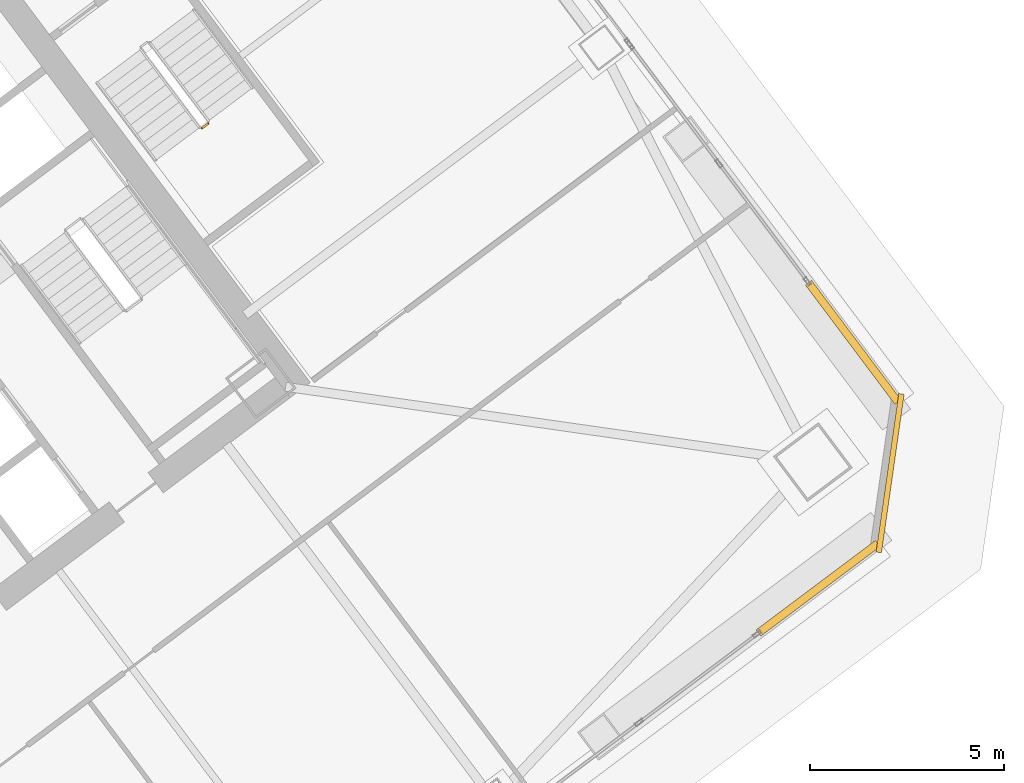
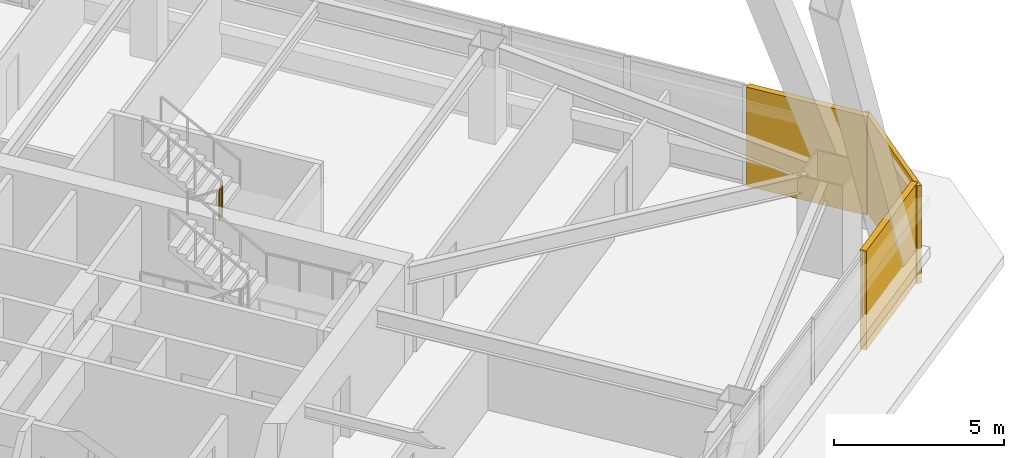
# One storey, part 65 of 67: 3 coverings, 1 railing.
"""IFC4 building model written with IfcOpenShell, lengths in metres."""

from ifc_helpers import new_model, si_unit, direction, frame, origin, origin_2d, place, context, subcontext, project, spatial, rectangle, extrude, material, layer, layer_set, type_object, element, save


model = new_model("IFC4")

# Units and contexts
model_context = context("Model", 3, precision=1e-05, world=origin(), true_north=direction((0.0, 1.0)))
body_context = subcontext(model_context, "Body", "Model", "MODEL_VIEW")
ifc_project = project(units=[si_unit("LENGTHUNIT", "METRE"), si_unit("AREAUNIT", "SQUARE_METRE"), si_unit("VOLUMEUNIT", "CUBIC_METRE"), si_unit("PLANEANGLEUNIT", "RADIAN"), si_unit("MASSUNIT", "GRAM", prefix="KILO")], contexts=[model_context])

# Site, building, storey
site_placement = place(None, origin())
site = spatial("IfcSite", under=ifc_project, at=site_placement, CompositionType="ELEMENT")
building_placement = place(site_placement, origin())
building = spatial("IfcBuilding", under=site, at=building_placement, Name="Tashvorn Skyway Center", CompositionType="ELEMENT")
storey_placement = place(building_placement, frame((0.0, 0.0, 67.199951171875)))
storey = spatial("IfcBuildingStorey", under=building, at=storey_placement, Name="L17", CompositionType="ELEMENT", Elevation=67.199951171875)

# Coverings
ifc_material_1 = material(Name="Precast concrete C40/50", Category="concrete")
ifc_layer_1 = layer(ifc_material_1, 0.199951171875)
ifc_layer_set_1 = layer_set([ifc_layer_1], Name="Precast concrete C40/50")
covering_type_1 = type_object("IfcCoveringType", Name="COV-BRACE-CLAD", PredefinedType="CLADDING", material=ifc_layer_set_1)
for number, where, z_axis, x_axis, name in (
    (1, (138.216064453125, 25.31201171875, 0.0), (0.0, 0.0, 1.0), (-0.799999996291, -0.600000004945, 0.0), "Tower 2 L17 South Unitised Curtain Wall Mega-Brace Cladding Band 1"),
    (2, (139.1201171875, 31.639892578125, 0.0), (0.0, 0.0, 1.0), (0.600000004945, -0.799999996291, 0.0), "Tower 2 L17 East Unitised Curtain Wall Mega-Brace Cladding Band 2"),
):
    element("IfcCovering", number, at=place(storey_placement, frame(where, z_axis=z_axis, x_axis=x_axis)), inside=storey, type_object=covering_type_1, Name=name, PredefinedType="CLADDING", context=body_context, shape_type="SweptSolid", body=[
        extrude(rectangle(XDim=3.840087890625, YDim=0.199951171875, at=origin_2d()), origin(), (0.0, 0.0, 1.0), 3.550048828125),
    ])
ifc_layer_2 = layer(ifc_material_1, 0.35009765625)
ifc_layer_set_2 = layer_set([ifc_layer_2], Name="Precast concrete C40/50")
covering_type_2 = type_object("IfcCoveringType", Name="COV-STONE-TRIM", PredefinedType="CLADDING", material=ifc_layer_set_2)
covering_placement = place(storey_placement, frame((140.068115234375, 28.27587890625, 0.02001953125), z_axis=(0.0, 0.0, 1.0), x_axis=(0.141421350118, 0.989949494535, 0.0)))
element("IfcCovering", 3, at=covering_placement, inside=storey, type_object=covering_type_2, Name="Tower 2 L17 SE Mojave Limestone Corner Quoin", PredefinedType="CLADDING", context=body_context, shape_type="SweptSolid", body=[
    extrude(rectangle(XDim=4.119873046875, YDim=0.139892578125, at=origin_2d()), origin(), (0.0, 0.0, 1.0), 3.510009765625),
])

# Railing
ifc_material_2 = material(Name="Painted galvanized steel S355", Category="steel")
railing_type = type_object("IfcRailingType", Name="RAIL-STGUARD-1100", PredefinedType="GUARDRAIL", material=ifc_material_2)
railing_placement = place(storey_placement, frame((122.35791015625, 37.156005859375, 1.775146484375)))
element("IfcRailing", 4, at=railing_placement, inside=storey, type_object=railing_type, Name="L17 ST-T2-3 stair guard 2", PredefinedType="GUARDRAIL", context=body_context, shape_type="SweptSolid", body=[
    extrude(rectangle(XDim=0.048095703125, YDim=0.048095703125, at=origin_2d()), frame((0.0, 0.0, 1.076171875), z_axis=(0.800585412921, 0.599218655098, 0.0), x_axis=(-0.599218655098, 0.800585412921, 0.0)), (0.0, 0.0, 1.0), 0.199951171875),
    extrude(rectangle(XDim=0.0419921875, YDim=0.0419921875, at=origin_2d()), origin(), (0.0, 0.0, 1.0), 1.052001953125),
    extrude(rectangle(XDim=0.0419921875, YDim=0.0419921875, at=origin_2d()), frame((0.16015625, 0.119873046875, 0.0)), (0.0, 0.0, 1.0), 1.052001953125),
])

save(model, "model.ifc")
